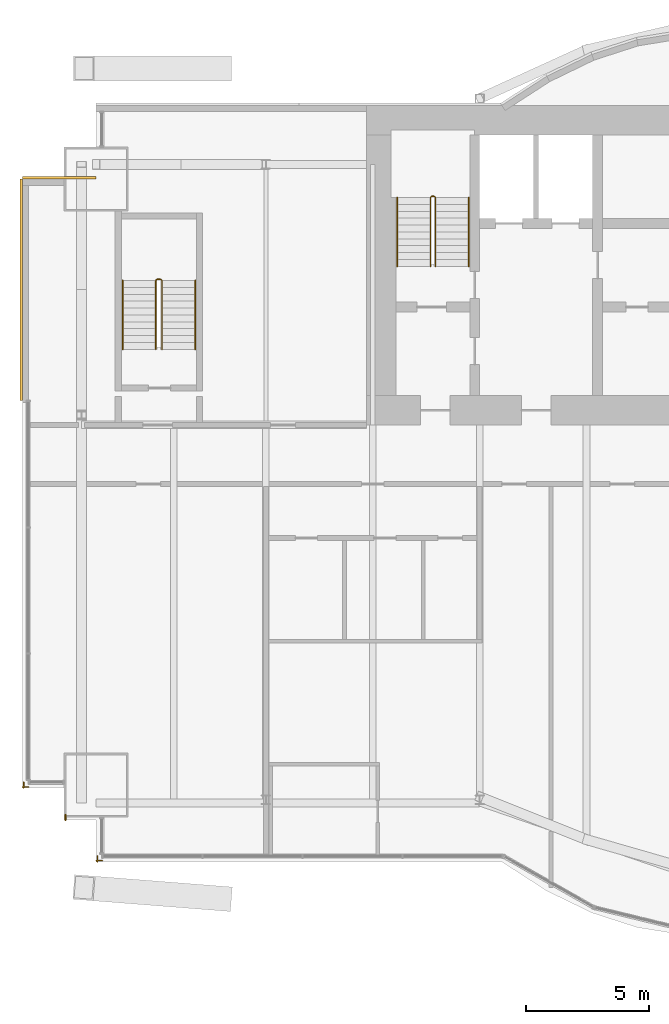
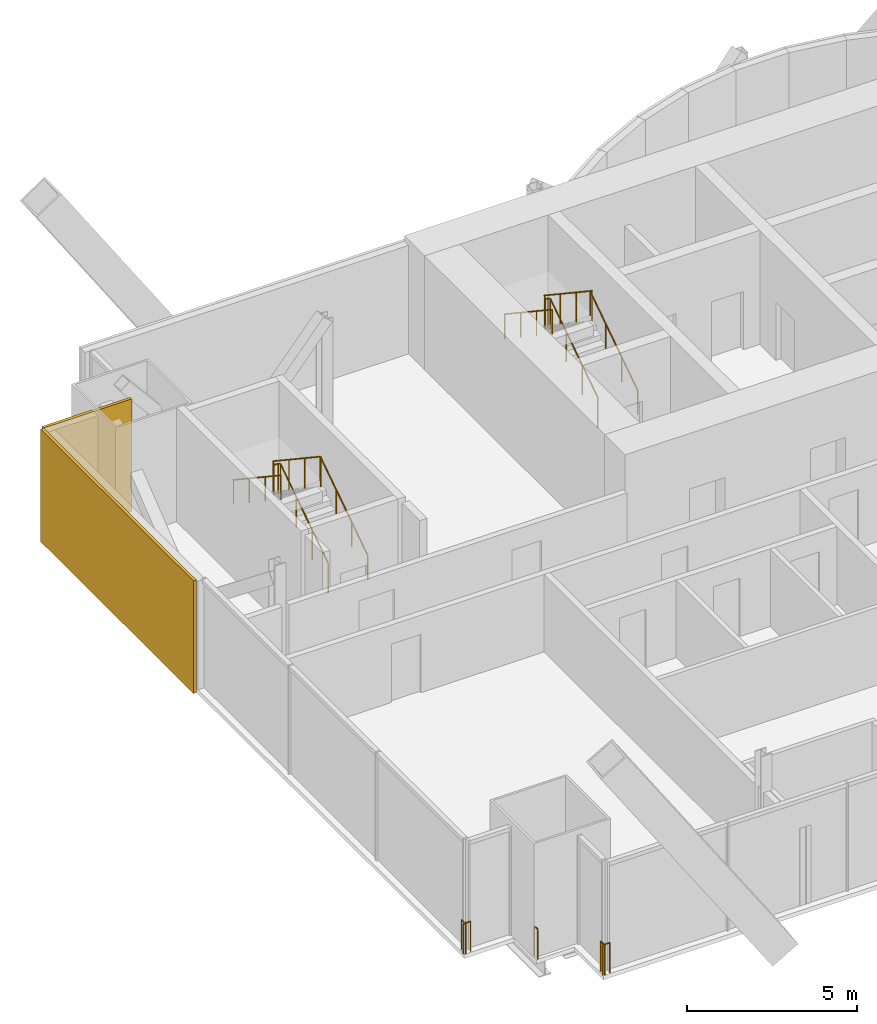
# One storey, part 18 of 20: 9 railings, 2 coverings.
"""IFC4 building model written with IfcOpenShell, lengths in metres."""

from ifc_helpers import new_model, si_unit, direction, frame, origin, origin_2d, place, context, subcontext, project, spatial, rectangle, circle, extrude, material, layer, layer_set, type_object, element, save


model = new_model("IFC4")

# Units and contexts
model_context = context("Model", 3, precision=1e-05, world=origin(), true_north=direction((0.0, 1.0)))
body_context = subcontext(model_context, "Body", "Model", "MODEL_VIEW")
ifc_project = project(units=[si_unit("LENGTHUNIT", "METRE"), si_unit("AREAUNIT", "SQUARE_METRE"), si_unit("VOLUMEUNIT", "CUBIC_METRE"), si_unit("PLANEANGLEUNIT", "RADIAN"), si_unit("MASSUNIT", "GRAM", prefix="KILO")], contexts=[model_context])

# Site, building, storey
site_placement = place(None, origin())
site = spatial("IfcSite", under=ifc_project, at=site_placement, CompositionType="ELEMENT")
building_placement = place(site_placement, origin())
building = spatial("IfcBuilding", under=site, at=building_placement, Name="Bicima Exchange Tower", CompositionType="ELEMENT")
storey_placement = place(building_placement, frame((0.0, 0.0, 231.89990234375)))
storey = spatial("IfcBuildingStorey", under=building, at=storey_placement, Name="L52", CompositionType="ELEMENT", Elevation=231.89990234375)

# Coverings
ifc_material_1 = material(Name="Bronze metal cladding")
ifc_layer_1 = layer(ifc_material_1, 0.004)
ifc_material_2 = material(Name="Ventilated cavity")
ifc_layer_2 = layer(ifc_material_2, 0.06)
ifc_material_3 = material(Name="Galvanised steel rail and mineral wool", Category="steel")
ifc_layer_3 = layer(ifc_material_3, 0.036)
ifc_layer_set = layer_set([ifc_layer_1, ifc_layer_2, ifc_layer_3], Name="Ventilated cavity")
covering_type = type_object("IfcCoveringType", Name="Bronze metal cladding panel 100", PredefinedType="CLADDING", material=ifc_layer_set)
covering_1_placement = place(storey_placement, frame((-34.5, -2.949951171875, -0.14990234375), z_axis=(0.0, 0.0, 1.0), x_axis=(-1.0, 0.0, 0.0)))
element("IfcCovering", 1, at=covering_1_placement, inside=storey, type_object=covering_type, Name="Bronze cladding L52 22.1", PredefinedType="CLADDING", context=body_context, shape_type="SweptSolid", body=[
    extrude(rectangle(XDim=3.0, YDim=0.10009765625, at=origin_2d()), origin(), (0.0, 0.0, 1.0), 4.050048828125),
])
covering_2_placement = place(storey_placement, frame((-36.050048828125, -7.5, -0.14990234375), z_axis=(0.0, 0.0, 1.0), x_axis=(0.0, -1.0, 0.0)))
element("IfcCovering", 2, at=covering_2_placement, inside=storey, type_object=covering_type, Name="Bronze cladding L52 23.1", PredefinedType="CLADDING", context=body_context, shape_type="SweptSolid", body=[
    extrude(rectangle(XDim=9.0, YDim=0.10009765625, at=origin_2d()), origin(), (0.0, 0.0, 1.0), 4.050048828125),
])

# Railings
ifc_material_4 = material(Name="Stainless steel and bonded safety glass", Category="steel")
railing_type_1 = type_object("IfcRailingType", Name="Edge guard 1100", PredefinedType="GUARDRAIL", material=ifc_material_4)
railing_1_placement = place(storey_placement, frame((-35.757080078125, -27.72607421875, 0.0)))
element("IfcRailing", 3, at=railing_1_placement, inside=storey, type_object=railing_type_1, Name="Edge guard L52 267", PredefinedType="GUARDRAIL", context=body_context, shape_type="SweptSolid", body=[
    extrude(circle(Radius=0.02392578125, at=origin_2d()), frame((0.0, 0.0, 1.076171875), z_axis=(-1.0, 0.0, 0.0), x_axis=(0.0, -1.0, 0.0)), (0.0, 0.0, 1.0), 0.242919921875),
    extrude(circle(Radius=0.02392578125, at=origin_2d()), frame((-0.242919921875, 0.0, 1.076171875), z_axis=(0.708833529934, -0.705375805398, 0.0), x_axis=(0.705375805398, 0.708833529934, 0.0)), (0.0, 0.0, 1.0), 0.070556640625),
    extrude(circle(Radius=0.02392578125, at=origin_2d()), frame((-0.19287109375, -0.0498046875, 1.076171875), z_axis=(0.0, 1.0, 0.0), x_axis=(-1.0, 0.0, 0.0)), (0.0, 0.0, 1.0), 0.247802734375),
    extrude(circle(Radius=0.02099609375, at=origin_2d()), origin(), (0.0, 0.0, 1.0), 1.052001953125),
    extrude(circle(Radius=0.02099609375, at=origin_2d()), frame((-0.242919921875, 0.0, 0.0)), (0.0, 0.0, 1.0), 1.052001953125),
    extrude(circle(Radius=0.02099609375, at=origin_2d()), frame((-0.19287109375, -0.0498046875, 0.0)), (0.0, 0.0, 1.0), 1.052001953125),
    extrude(circle(Radius=0.02099609375, at=origin_2d()), frame((-0.19287109375, 0.197998046875, 0.0)), (0.0, 0.0, 1.0), 1.052001953125),
])
railing_2_placement = place(storey_placement, frame((-32.75, -30.72607421875, 0.0)))
element("IfcRailing", 4, at=railing_2_placement, inside=storey, type_object=railing_type_1, Name="Edge guard L52 271", PredefinedType="GUARDRAIL", context=body_context, shape_type="SweptSolid", body=[
    extrude(circle(Radius=0.02392578125, at=origin_2d()), frame((0.0, 0.0, 1.076171875), z_axis=(-1.0, 0.0, 0.0), x_axis=(0.0, -1.0, 0.0)), (0.0, 0.0, 1.0), 0.25),
    extrude(circle(Radius=0.02392578125, at=origin_2d()), frame((-0.25, 0.0, 1.076171875), z_axis=(0.708833529934, -0.705375805398, 0.0), x_axis=(0.705375805398, 0.708833529934, 0.0)), (0.0, 0.0, 1.0), 0.070556640625),
    extrude(circle(Radius=0.02392578125, at=origin_2d()), frame((-0.199951171875, -0.0498046875, 1.076171875), z_axis=(0.0, 1.0, 0.0), x_axis=(-1.0, 0.0, 0.0)), (0.0, 0.0, 1.0), 0.242919921875),
    extrude(circle(Radius=0.02099609375, at=origin_2d()), origin(), (0.0, 0.0, 1.0), 1.052001953125),
    extrude(circle(Radius=0.02099609375, at=origin_2d()), frame((-0.25, 0.0, 0.0)), (0.0, 0.0, 1.0), 1.052001953125),
    extrude(circle(Radius=0.02099609375, at=origin_2d()), frame((-0.199951171875, -0.0498046875, 0.0)), (0.0, 0.0, 1.0), 1.052001953125),
    extrude(circle(Radius=0.02099609375, at=origin_2d()), frame((-0.199951171875, 0.193115234375, 0.0)), (0.0, 0.0, 1.0), 1.052001953125),
])
railing_3_placement = place(storey_placement, frame((-34.25, -29.075927734375, 0.0)))
element("IfcRailing", 5, at=railing_3_placement, inside=storey, type_object=railing_type_1, Name="Edge guard L52 272", PredefinedType="GUARDRAIL", context=body_context, shape_type="SweptSolid", body=[
    extrude(circle(Radius=0.02392578125, at=origin_2d()), frame((0.0, 0.0, 1.076171875), z_axis=(0.0, 1.0, 0.0), x_axis=(-1.0, 0.0, 0.0)), (0.0, 0.0, 1.0), 0.217041015625),
    extrude(circle(Radius=0.02099609375, at=origin_2d()), origin(), (0.0, 0.0, 1.0), 1.052001953125),
    extrude(circle(Radius=0.02099609375, at=origin_2d()), frame((0.0, 0.217041015625, 0.0)), (0.0, 0.0, 1.0), 1.052001953125),
])
ifc_material_5 = material(Name="Stainless steel", Category="steel")
railing_type_2 = type_object("IfcRailingType", Name="Stair guard 1100", PredefinedType="GUARDRAIL", material=ifc_material_5)
railing_4_placement = place(storey_placement, frame((-19.199951171875, -6.550048828125, 0.1865234375)))
element("IfcRailing", 6, at=railing_4_placement, inside=storey, type_object=railing_type_2, Name="L52 ST-W stair guard 1", PredefinedType="GUARDRAIL", context=body_context, shape_type="SweptSolid", body=[
    extrude(circle(Radius=0.02392578125, at=origin_2d()), frame((0.0, 0.0, 1.076171875), z_axis=(0.0, 0.832485552168, 0.554046753832), x_axis=(-1.0, 0.0, 0.0)), (0.0, 0.0, 1.0), 3.363525390625),
    extrude(circle(Radius=0.02392578125, at=origin_2d()), frame((0.0, 2.800048828125, 2.939453125), z_axis=(-0.707106781187, 0.707106781187, 0.0), x_axis=(-0.707106781187, -0.707106781187, 0.0)), (0.0, 0.0, 1.0), 0.07080078125),
    extrude(circle(Radius=0.02392578125, at=origin_2d()), frame((-0.050048828125, 2.85009765625, 2.939453125), z_axis=(-1.0, 0.0, 0.0), x_axis=(0.0, -1.0, 0.0)), (0.0, 0.0, 1.0), 0.10009765625),
    extrude(circle(Radius=0.02392578125, at=origin_2d()), frame((-0.150146484375, 2.85009765625, 2.939453125), z_axis=(-0.249722437352, -0.250946566947, 0.935235010476), x_axis=(0.708833529934, -0.705375805398, 0.0)), (0.0, 0.0, 1.0), 0.199462890625),
    extrude(circle(Radius=0.02392578125, at=origin_2d()), frame((-0.199951171875, 2.800048828125, 3.1259765625), z_axis=(0.0, -0.832485552168, 0.554046753832), x_axis=(1.0, 0.0, 0.0)), (0.0, 0.0, 1.0), 3.363525390625),
    extrude(circle(Radius=0.02099609375, at=origin_2d()), origin(), (0.0, 0.0, 1.0), 1.052001953125),
    extrude(circle(Radius=0.02099609375, at=origin_2d()), frame((0.0, 0.933349609375, 0.62109375)), (0.0, 0.0, 1.0), 1.052001953125),
    extrude(circle(Radius=0.02099609375, at=origin_2d()), frame((0.0, 1.86669921875, 1.242431640625)), (0.0, 0.0, 1.0), 1.052001953125),
    extrude(circle(Radius=0.02099609375, at=origin_2d()), frame((0.0, 2.800048828125, 1.863525390625)), (0.0, 0.0, 1.0), 1.052001953125),
    extrude(circle(Radius=0.02099609375, at=origin_2d()), frame((-0.050048828125, 2.85009765625, 1.863525390625)), (0.0, 0.0, 1.0), 1.052001953125),
    extrude(circle(Radius=0.02099609375, at=origin_2d()), frame((-0.150146484375, 2.85009765625, 1.863525390625)), (0.0, 0.0, 1.0), 1.052001953125),
    extrude(circle(Radius=0.02099609375, at=origin_2d()), frame((-0.199951171875, 2.800048828125, 2.050048828125)), (0.0, 0.0, 1.0), 1.052001953125),
    extrude(circle(Radius=0.02099609375, at=origin_2d()), frame((-0.199951171875, 1.86669921875, 2.671142578125)), (0.0, 0.0, 1.0), 1.052001953125),
    extrude(circle(Radius=0.02099609375, at=origin_2d()), frame((-0.199951171875, 0.933349609375, 3.29248046875)), (0.0, 0.0, 1.0), 1.052001953125),
    extrude(circle(Radius=0.02099609375, at=origin_2d()), frame((-0.199951171875, 0.0, 3.91357421875)), (0.0, 0.0, 1.0), 1.052001953125),
])
railing_5_placement = place(storey_placement, frame((-30.324951171875, -9.925048828125, 0.1865234375)))
element("IfcRailing", 7, at=railing_5_placement, inside=storey, type_object=railing_type_2, Name="L52 ST-WW stair guard 1", PredefinedType="GUARDRAIL", context=body_context, shape_type="SweptSolid", body=[
    extrude(circle(Radius=0.02392578125, at=origin_2d()), frame((0.0, 0.0, 1.076171875), z_axis=(0.0, 0.832485552168, 0.554046753832), x_axis=(-1.0, 0.0, 0.0)), (0.0, 0.0, 1.0), 3.363525390625),
    extrude(circle(Radius=0.02392578125, at=origin_2d()), frame((0.0, 2.800048828125, 2.939453125), z_axis=(-0.707106781187, 0.707106781187, 0.0), x_axis=(-0.707106781187, -0.707106781187, 0.0)), (0.0, 0.0, 1.0), 0.07080078125),
    extrude(circle(Radius=0.02392578125, at=origin_2d()), frame((-0.050048828125, 2.85009765625, 2.939453125), z_axis=(-1.0, 0.0, 0.0), x_axis=(0.0, -1.0, 0.0)), (0.0, 0.0, 1.0), 0.14990234375),
    extrude(circle(Radius=0.02392578125, at=origin_2d()), frame((-0.199951171875, 2.85009765625, 2.939453125), z_axis=(-0.250869701741, -0.250869701741, 0.934948546978), x_axis=(0.707106781187, -0.707106781187, 0.0)), (0.0, 0.0, 1.0), 0.199462890625),
    extrude(circle(Radius=0.02392578125, at=origin_2d()), frame((-0.25, 2.800048828125, 3.1259765625), z_axis=(0.0, -0.832485552168, 0.554046753832), x_axis=(1.0, 0.0, 0.0)), (0.0, 0.0, 1.0), 3.363525390625),
    extrude(circle(Radius=0.02099609375, at=origin_2d()), origin(), (0.0, 0.0, 1.0), 1.052001953125),
    extrude(circle(Radius=0.02099609375, at=origin_2d()), frame((0.0, 0.933349609375, 0.62109375)), (0.0, 0.0, 1.0), 1.052001953125),
    extrude(circle(Radius=0.02099609375, at=origin_2d()), frame((0.0, 1.86669921875, 1.242431640625)), (0.0, 0.0, 1.0), 1.052001953125),
    extrude(circle(Radius=0.02099609375, at=origin_2d()), frame((0.0, 2.800048828125, 1.863525390625)), (0.0, 0.0, 1.0), 1.052001953125),
    extrude(circle(Radius=0.02099609375, at=origin_2d()), frame((-0.050048828125, 2.85009765625, 1.863525390625)), (0.0, 0.0, 1.0), 1.052001953125),
    extrude(circle(Radius=0.02099609375, at=origin_2d()), frame((-0.199951171875, 2.85009765625, 1.863525390625)), (0.0, 0.0, 1.0), 1.052001953125),
    extrude(circle(Radius=0.02099609375, at=origin_2d()), frame((-0.25, 2.800048828125, 2.050048828125)), (0.0, 0.0, 1.0), 1.052001953125),
    extrude(circle(Radius=0.02099609375, at=origin_2d()), frame((-0.25, 1.86669921875, 2.671142578125)), (0.0, 0.0, 1.0), 1.052001953125),
    extrude(circle(Radius=0.02099609375, at=origin_2d()), frame((-0.25, 0.933349609375, 3.29248046875)), (0.0, 0.0, 1.0), 1.052001953125),
    extrude(circle(Radius=0.02099609375, at=origin_2d()), frame((-0.25, 0.0, 3.91357421875)), (0.0, 0.0, 1.0), 1.052001953125),
])
railing_type_3 = type_object("IfcRailingType", Name="Stair handrail 900", PredefinedType="HANDRAIL", material=ifc_material_5)
railing_6_placement = place(storey_placement, frame((-17.85009765625, -6.550048828125, 0.1865234375)))
element("IfcRailing", 8, at=railing_6_placement, inside=storey, type_object=railing_type_3, Name="L52 ST-W stair handrail 1", PredefinedType="HANDRAIL", context=body_context, shape_type="SweptSolid", body=[
    extrude(circle(Radius=0.02392578125, at=origin_2d()), frame((0.0, 0.0, 0.8759765625), z_axis=(0.0, 0.832485552168, 0.554046753832), x_axis=(-1.0, 0.0, 0.0)), (0.0, 0.0, 1.0), 3.363525390625),
    extrude(circle(Radius=0.02099609375, at=origin_2d()), origin(), (0.0, 0.0, 1.0), 0.851806640625),
    extrude(circle(Radius=0.02099609375, at=origin_2d()), frame((0.0, 0.933349609375, 0.62109375)), (0.0, 0.0, 1.0), 0.851806640625),
    extrude(circle(Radius=0.02099609375, at=origin_2d()), frame((0.0, 1.86669921875, 1.242431640625)), (0.0, 0.0, 1.0), 0.851806640625),
    extrude(circle(Radius=0.02099609375, at=origin_2d()), frame((0.0, 2.800048828125, 1.863525390625)), (0.0, 0.0, 1.0), 0.851806640625),
])
railing_7_placement = place(storey_placement, frame((-20.75, -3.75, 2.236572265625)))
element("IfcRailing", 9, at=railing_7_placement, inside=storey, type_object=railing_type_3, Name="L52 ST-W stair handrail 2", PredefinedType="HANDRAIL", context=body_context, shape_type="SweptSolid", body=[
    extrude(circle(Radius=0.02392578125, at=origin_2d()), frame((0.0, 0.0, 0.8759765625), z_axis=(0.0, -0.832485552168, 0.554046753832), x_axis=(1.0, 0.0, 0.0)), (0.0, 0.0, 1.0), 3.363525390625),
    extrude(circle(Radius=0.02099609375, at=origin_2d()), origin(), (0.0, 0.0, 1.0), 0.851806640625),
    extrude(circle(Radius=0.02099609375, at=origin_2d()), frame((0.0, -0.933349609375, 0.62109375)), (0.0, 0.0, 1.0), 0.851806640625),
    extrude(circle(Radius=0.02099609375, at=origin_2d()), frame((0.0, -1.86669921875, 1.242431640625)), (0.0, 0.0, 1.0), 0.851806640625),
    extrude(circle(Radius=0.02099609375, at=origin_2d()), frame((0.0, -2.800048828125, 1.863525390625)), (0.0, 0.0, 1.0), 0.851806640625),
])
railing_8_placement = place(storey_placement, frame((-28.97509765625, -9.925048828125, 0.1865234375)))
element("IfcRailing", 10, at=railing_8_placement, inside=storey, type_object=railing_type_3, Name="L52 ST-WW stair handrail 1", PredefinedType="HANDRAIL", context=body_context, shape_type="SweptSolid", body=[
    extrude(circle(Radius=0.02392578125, at=origin_2d()), frame((0.0, 0.0, 0.8759765625), z_axis=(0.0, 0.832485552168, 0.554046753832), x_axis=(-1.0, 0.0, 0.0)), (0.0, 0.0, 1.0), 3.363525390625),
    extrude(circle(Radius=0.02099609375, at=origin_2d()), origin(), (0.0, 0.0, 1.0), 0.851806640625),
    extrude(circle(Radius=0.02099609375, at=origin_2d()), frame((0.0, 0.933349609375, 0.62109375)), (0.0, 0.0, 1.0), 0.851806640625),
    extrude(circle(Radius=0.02099609375, at=origin_2d()), frame((0.0, 1.86669921875, 1.242431640625)), (0.0, 0.0, 1.0), 0.851806640625),
    extrude(circle(Radius=0.02099609375, at=origin_2d()), frame((0.0, 2.800048828125, 1.863525390625)), (0.0, 0.0, 1.0), 0.851806640625),
])
railing_9_placement = place(storey_placement, frame((-31.925048828125, -7.125, 2.236572265625)))
element("IfcRailing", 11, at=railing_9_placement, inside=storey, type_object=railing_type_3, Name="L52 ST-WW stair handrail 2", PredefinedType="HANDRAIL", context=body_context, shape_type="SweptSolid", body=[
    extrude(circle(Radius=0.02392578125, at=origin_2d()), frame((0.0, 0.0, 0.8759765625), z_axis=(0.0, -0.832485552168, 0.554046753832), x_axis=(1.0, 0.0, 0.0)), (0.0, 0.0, 1.0), 3.363525390625),
    extrude(circle(Radius=0.02099609375, at=origin_2d()), origin(), (0.0, 0.0, 1.0), 0.851806640625),
    extrude(circle(Radius=0.02099609375, at=origin_2d()), frame((0.0, -0.933349609375, 0.62109375)), (0.0, 0.0, 1.0), 0.851806640625),
    extrude(circle(Radius=0.02099609375, at=origin_2d()), frame((0.0, -1.86669921875, 1.242431640625)), (0.0, 0.0, 1.0), 0.851806640625),
    extrude(circle(Radius=0.02099609375, at=origin_2d()), frame((0.0, -2.800048828125, 1.863525390625)), (0.0, 0.0, 1.0), 0.851806640625),
])

save(model, "model.ifc")
